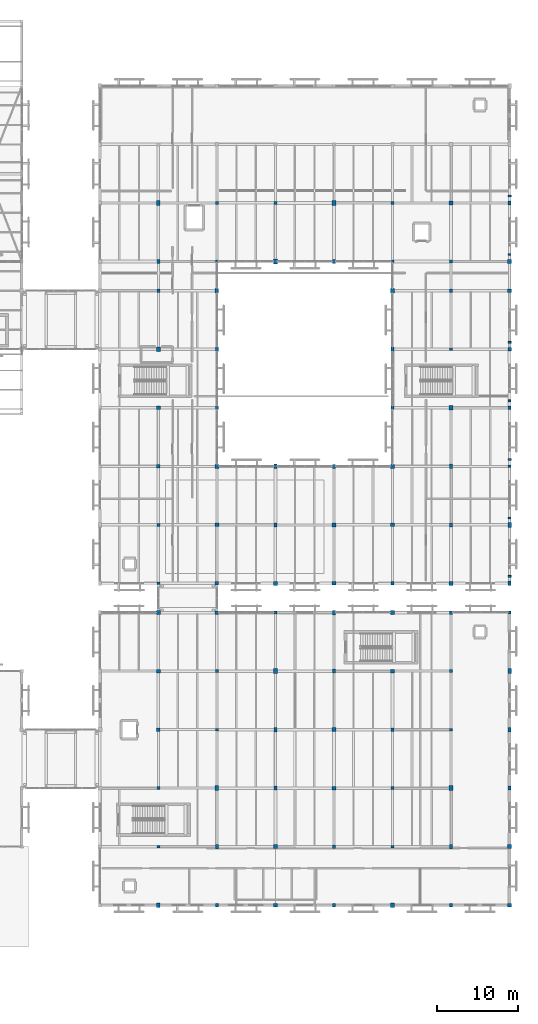
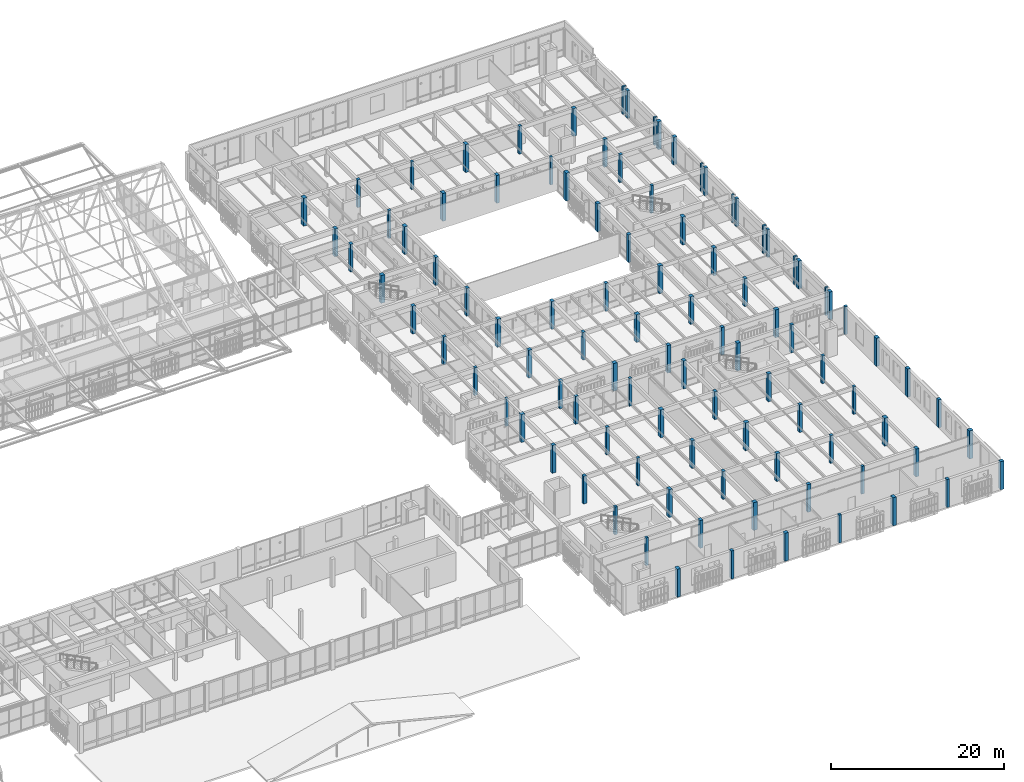
# One storey, part 14 of 217: 99 columns.
"""IFC4 building model written with IfcOpenShell, lengths in metres."""

import ifcopenshell
import ifcopenshell.guid

model = None  # the IFC model being written
_history = None  # IfcOwnerHistory: only IFC2X3 demands one
_inside = {}  # id of a spatial element -> (the spatial element, [elements in it])
_under = {}  # id of a project, library or spatial element -> (it, [spatial elements below it])
_declared = {}  # id of a project -> (the project, [libraries it declares])
_typed = {}  # id of a type object -> (the type object, [elements of that type])
_made_of = {}  # id of a material, layer set ... -> (it, [elements and type objects made of it])


def new_model(schema):
    """Start an empty IFC model of exactly this schema.

    Asked for "IFC4X3", IfcOpenShell would pick the latest addendum, in which some entities
    have other attributes; the version numbers below select the first issue.
    IFC2X3 requires an IfcOwnerHistory on every rooted entity: one is made here for all.
    """
    global model, _history
    if schema == "IFC4X3":
        model = ifcopenshell.file(schema_version=(4, 3, 0, 0))
    else:
        model = ifcopenshell.file(schema=schema)
    _inside.clear()
    _under.clear()
    _declared.clear()
    _typed.clear()
    _made_of.clear()
    _history = None
    if model.schema == "IFC2X3":
        org = make("IfcOrganization", Name="unknown")
        user = make(
            "IfcPersonAndOrganization",
            ThePerson=make("IfcPerson", FamilyName="unknown"),
            TheOrganization=org,
        )
        app = make(
            "IfcApplication",
            ApplicationDeveloper=org,
            Version="unknown",
            ApplicationFullName="unknown",
            ApplicationIdentifier="unknown",
        )
        _history = make(
            "IfcOwnerHistory",
            OwningUser=user,
            OwningApplication=app,
            ChangeAction="ADDED",
            CreationDate=0,
        )
    return model


def make(cls, **values):
    """One entity of the class cls with the attributes given. An attribute that is None is left unset."""
    return model.create_entity(
        cls, **{name: value for name, value in values.items() if value is not None}
    )


def rooted(cls, **values):
    """An entity with a GlobalId (a new one), such as an element, a storey or a relation."""
    return make(cls, GlobalId=ifcopenshell.guid.new(), OwnerHistory=_history, **values)


def si_unit(unit_type, name, prefix=None):
    """IfcSIUnit, for example si_unit("LENGTHUNIT", "METRE", prefix="MILLI")."""
    return make("IfcSIUnit", UnitType=unit_type, Prefix=prefix, Name=name)


def assignment(units):
    """IfcUnitAssignment: the units of a project."""
    return None if units is None else make("IfcUnitAssignment", Units=units)


def point(xyz):
    """IfcCartesianPoint."""
    return None if xyz is None else make("IfcCartesianPoint", Coordinates=xyz)


def direction(xyz):
    """IfcDirection."""
    return None if xyz is None else make("IfcDirection", DirectionRatios=xyz)


def frame(location, z_axis=None, x_axis=None):
    """IfcAxis2Placement3D, a coordinate frame: its origin and axes. An axis left out is left unset."""
    return make(
        "IfcAxis2Placement3D",
        Location=point(location),
        Axis=direction(z_axis),
        RefDirection=direction(x_axis),
    )


def frame_2d(location, x_axis=None):
    """IfcAxis2Placement2D, a coordinate frame in the plane: its origin and x axis."""
    return make(
        "IfcAxis2Placement2D", Location=point(location), RefDirection=direction(x_axis)
    )


def origin():
    """The frame at (0, 0, 0) with its axes left unset."""
    return frame((0.0, 0.0, 0.0))


def origin_2d():
    """The frame at (0, 0) in the plane with its x axis left unset."""
    return frame_2d((0.0, 0.0))


def place(relative_to, where):
    """IfcLocalPlacement: puts the frame where relative to a parent placement (None: the world)."""
    return make(
        "IfcLocalPlacement", PlacementRelTo=relative_to, RelativePlacement=where
    )


def context(
    kind, dimensions, precision=None, world=None, true_north=None, identifier=None
):
    """IfcGeometricRepresentationContext, for example the 3D "Model" context."""
    return make(
        "IfcGeometricRepresentationContext",
        ContextIdentifier=identifier,
        ContextType=kind,
        CoordinateSpaceDimension=dimensions,
        Precision=precision,
        WorldCoordinateSystem=world,
        TrueNorth=true_north,
    )


def subcontext(parent, identifier, kind, view, scale=None):
    """IfcGeometricRepresentationSubContext, for example "Body" below "Model"."""
    return make(
        "IfcGeometricRepresentationSubContext",
        ContextIdentifier=identifier,
        ContextType=kind,
        ParentContext=parent,
        TargetScale=scale,
        TargetView=view,
    )


def project(units=None, contexts=None):
    """IfcProject with its units and contexts."""
    return rooted(
        "IfcProject",
        Name="project",
        RepresentationContexts=contexts,
        UnitsInContext=assignment(units),
    )


def spatial(cls, under=None, at=None, **own):
    """A site, building, storey or space (cls), placed at a placement, below another one or the project."""
    s = rooted(cls, ObjectPlacement=at, **own)
    if under is not None:
        _under.setdefault(under.id(), (under, []))[1].append(s)
    return s


def profile(cls, at=None, kind="AREA", **sizes):
    """A parametric profile (cls). Its sizes go by their IFC names, for example OverallWidth=200.0."""
    return make(cls, ProfileType=kind, Position=at, **sizes)


def rectangle(**sizes):
    """IfcRectangleProfileDef."""
    return profile("IfcRectangleProfileDef", **sizes)


def extrude(swept, where, along, depth):
    """IfcExtrudedAreaSolid: the profile swept, set in the frame where, extruded along a direction by depth."""
    return make(
        "IfcExtrudedAreaSolid",
        SweptArea=swept,
        Position=where,
        ExtrudedDirection=direction(along),
        Depth=depth,
    )


def shape(context_of_items, identifier, shape_type, items):
    """IfcShapeRepresentation: the items that make up one representation, for example the "Body"."""
    return make(
        "IfcShapeRepresentation",
        ContextOfItems=context_of_items,
        RepresentationIdentifier=identifier,
        RepresentationType=shape_type,
        Items=items,
    )


def material(Name=None, Category=None):
    """IfcMaterial."""
    return make("IfcMaterial", Name=Name, Category=Category)


def material_profile(
    of_material, cross_section, Name=None, Category=None, Priority=None
):
    """IfcMaterialProfile: a cross section and its material."""
    return make(
        "IfcMaterialProfile",
        Name=Name,
        Material=of_material,
        Profile=cross_section,
        Priority=Priority,
        Category=Category,
    )


def profile_set(profiles, Name=None, composite=None):
    """IfcMaterialProfileSet."""
    return make(
        "IfcMaterialProfileSet",
        Name=Name,
        MaterialProfiles=profiles,
        CompositeProfile=composite,
    )


def made_of(thing, what):
    """Note that an element or type object is made of a material, layer set ...; save() writes the relation."""
    if what is not None:
        _made_of.setdefault(what.id(), (what, []))[1].append(thing)
    return thing


def type_object(cls, material=None, **own):
    """A type object (cls), such as IfcWallType, which elements share."""
    return made_of(rooted(cls, **own), material)


def element(
    cls,
    number,
    at=None,
    inside=None,
    cuts=None,
    type_object=None,
    material=None,
    context=None,
    identifier="Body",
    shape_type=None,
    held_by="IfcProductDefinitionShape",
    body=None,
    shapes=None,
    **own,
):
    """One element of the class cls, such as IfcWall. Its Tag is "e" and its number.

    at: its placement. inside: the storey or other place that contains it. cuts: it is an
    opening in that element (IfcRelVoidsElement). A single representation is given by context,
    identifier, shape_type and body (its items); several are given by shapes. held_by: the class
    of the entity that holds the representations. save() writes the other relations.
    """
    e = rooted(cls, Tag="e%d" % number, ObjectPlacement=at, **own)
    if body is not None:
        shapes = [shape(context, identifier, shape_type, body)]
    if shapes is not None:
        e.Representation = make(held_by, Representations=shapes)
    if inside is not None:
        _inside.setdefault(inside.id(), (inside, []))[1].append(e)
    if cuts is not None:
        rooted(
            "IfcRelVoidsElement", RelatingBuildingElement=cuts, RelatedOpeningElement=e
        )
    if type_object is not None:
        _typed.setdefault(type_object.id(), (type_object, []))[1].append(e)
    return made_of(e, material)


def aggregate(whole, parts):
    """IfcRelAggregates: a whole, such as a stair, and the parts it consists of."""
    return rooted("IfcRelAggregates", RelatingObject=whole, RelatedObjects=parts)


def save(model, path):
    """Write the relations noted so far, then the file.

    IfcRelAggregates (storeys below a building ...), IfcRelContainedInSpatialStructure (elements
    in a storey), IfcRelDefinesByType, IfcRelAssociatesMaterial and IfcRelDeclares: one each for
    every whole, place, type object, material and project.
    """
    for whole, parts in _under.values():
        aggregate(whole, parts)
    for where, things in _inside.values():
        rooted(
            "IfcRelContainedInSpatialStructure",
            RelatedElements=things,
            RelatingStructure=where,
        )
    for kind, things in _typed.values():
        rooted("IfcRelDefinesByType", RelatedObjects=things, RelatingType=kind)
    for what, things in _made_of.values():
        rooted("IfcRelAssociatesMaterial", RelatedObjects=things, RelatingMaterial=what)
    for by, libraries in _declared.values():
        rooted("IfcRelDeclares", RelatingContext=by, RelatedDefinitions=libraries)
    model.write(path)


model = new_model("IFC4")

# Units and contexts
model_context = context("Model", 3, precision=1e-05, world=origin(), true_north=direction((0.0, 1.0)))
body_context = subcontext(model_context, "Body", "Model", "MODEL_VIEW")
ifc_project = project(units=[si_unit("LENGTHUNIT", "METRE"), si_unit("AREAUNIT", "SQUARE_METRE"), si_unit("VOLUMEUNIT", "CUBIC_METRE"), si_unit("PLANEANGLEUNIT", "RADIAN"), si_unit("MASSUNIT", "GRAM", prefix="KILO")], contexts=[model_context])

# Site, building, storey
site_placement = place(None, origin())
site = spatial("IfcSite", under=ifc_project, at=site_placement, CompositionType="ELEMENT")
building_placement = place(site_placement, origin())
building = spatial("IfcBuilding", under=site, at=building_placement, Name="Mazaris Harbour Polytechnic", CompositionType="ELEMENT")
storey_placement = place(building_placement, frame((0.0, 0.0, 9.60009765625)))
storey = spatial("IfcBuildingStorey", under=building, at=storey_placement, Name="L02", CompositionType="ELEMENT", Elevation=9.60009765625)

# Columns
ifc_material_1 = material(Name="Glulam GL28h", Category="wood")
ifc_material_profile_1 = material_profile(ifc_material_1, rectangle(XDim=0.340087890625, YDim=0.340087890625, at=origin_2d()), Name="RECT340x340")
ifc_profile_set_1 = profile_set([ifc_material_profile_1], Name="Glulam GL28h")
column_type_1 = type_object("IfcColumnType", Name="Glulam Column 340x340", PredefinedType="COLUMN", material=ifc_profile_set_1)
for number, where, z_axis, x_axis, name in (
    (1, (129.60009765625, 14.39990234375, 0.0), (0.0, 0.0, 1.0), (1.0, 0.0, 0.0), "V2 L02 Column 312"),
    (2, (136.800048828125, 28.800048828125, 0.0), (0.0, 0.0, 1.0), (1.0, 0.0, 0.0), "V2 L02 Column 320"),
    (3, (158.39990234375, 14.39990234375, 0.0), (0.0, 0.0, 1.0), (1.0, 0.0, 0.0), "V2 L02 Column 336"),
    (4, (165.60009765625, 28.800048828125, 0.0), (0.0, 0.0, 1.0), (1.0, 0.0, 0.0), "V2 L02 Column 344"),
    (5, (136.800048828125, 86.39990234375, 0.0), (0.0, 0.0, 1.0), (1.0, 0.0, 0.0), "V5 L02 Column 1352"),
    (6, (144.0, 93.60009765625, 0.0), (0.0, 0.0, 1.0), (1.0, 0.0, 0.0), "V5 L02 Column 1360"),
    (7, (158.39990234375, 86.39990234375, 0.0), (0.0, 0.0, 1.0), (1.0, 0.0, 0.0), "V5 L02 Column 1376"),
    (8, (165.60009765625, 75.60009765625, 0.0), (0.0, 0.0, 1.0), (1.0, 0.0, 0.0), "V5 L02 Column 1384"),
):
    element("IfcColumn", number, at=place(storey_placement, frame(where, z_axis=z_axis, x_axis=x_axis)), inside=storey, type_object=column_type_1, Name=name, PredefinedType="COLUMN", context=body_context, shape_type="SweptSolid", body=[
        extrude(rectangle(XDim=0.340087890625, YDim=0.340087890625, at=origin_2d()), origin(), (0.0, 0.0, 1.0), 3.919921875),
    ])
ifc_material_2 = material(Name="Glulam GL28h", Category="wood")
ifc_material_profile_2 = material_profile(ifc_material_2, rectangle(XDim=0.340087890625, YDim=0.340087890625, at=origin_2d()), Name="RECT340x340")
ifc_profile_set_2 = profile_set([ifc_material_profile_2], Name="Glulam GL28h")
column_type_2 = type_object("IfcColumnType", Name="Glulam Column 340x340 Exterior", PredefinedType="COLUMN", material=ifc_profile_set_2)
column_1_placement = place(storey_placement, frame((144.0, 43.199951171875, 0.0), z_axis=(0.0, 0.0, 1.0), x_axis=(1.0, 0.0, 0.0)))
element("IfcColumn", 9, at=column_1_placement, inside=storey, type_object=column_type_2, Name="V2 L02 Column 328", PredefinedType="COLUMN", context=body_context, shape_type="SweptSolid", body=[
    extrude(rectangle(XDim=0.340087890625, YDim=0.340087890625, at=origin_2d()), origin(), (0.0, 0.0, 1.0), 3.919921875),
])
column_2_placement = place(storey_placement, frame((172.800048828125, 43.199951171875, 0.0), z_axis=(0.0, 0.0, 1.0), x_axis=(1.0, 0.0, 0.0)))
element("IfcColumn", 10, at=column_2_placement, inside=storey, type_object=column_type_2, Name="V2 L02 Column 352", PredefinedType="COLUMN", context=body_context, shape_type="SweptSolid", body=[
    extrude(rectangle(XDim=0.340087890625, YDim=0.340087890625, at=origin_2d()), origin(), (0.0, 0.0, 1.0), 3.9599609375),
])
for number, where, z_axis, x_axis, name in (
    (11, (129.60009765625, 46.800048828125, 0.0), (0.0, 0.0, 1.0), (1.0, 0.0, 0.0), "V5 L02 Column 1336"),
    (12, (172.800048828125, 61.199951171875, 0.0), (0.0, 0.0, 1.0), (1.0, 0.0, 0.0), "V5 L02 Column 1392"),
):
    element("IfcColumn", number, at=place(storey_placement, frame(where, z_axis=z_axis, x_axis=x_axis)), inside=storey, type_object=column_type_2, Name=name, PredefinedType="COLUMN", context=body_context, shape_type="SweptSolid", body=[
        extrude(rectangle(XDim=0.340087890625, YDim=0.340087890625, at=origin_2d()), origin(), (0.0, 0.0, 1.0), 3.919921875),
    ])
ifc_material_3 = material(Name="Glulam GL28h", Category="wood")
ifc_material_profile_3 = material_profile(ifc_material_3, rectangle(XDim=0.360107421875, YDim=0.47998046875, at=origin_2d()), Name="RECT360x480")
ifc_profile_set_3 = profile_set([ifc_material_profile_3], Name="Glulam GL28h")
column_type_3 = type_object("IfcColumnType", Name="Glulam Column 360x480", PredefinedType="COLUMN", material=ifc_profile_set_3)
for number, where, z_axis, x_axis, name in (
    (13, (144.0, 21.60009765625, 0.0), (0.0, 0.0, 1.0), (1.0, 0.0, 0.0), "V2 L02 Column 325"),
    (14, (151.199951171875, 36.0, 0.0), (0.0, 0.0, 1.0), (1.0, 0.0, 0.0), "V2 L02 Column 333"),
    (15, (129.60009765625, 82.800048828125, 0.0), (0.0, 0.0, 1.0), (1.0, 0.0, 0.0), "V5 L02 Column 1341"),
    (16, (136.800048828125, 68.39990234375, 0.0), (0.0, 0.0, 1.0), (1.0, 0.0, 0.0), "V5 L02 Column 1349"),
    (17, (144.0, 54.0, 0.0), (0.0, 0.0, 1.0), (1.0, 0.0, 0.0), "V5 L02 Column 1357"),
    (18, (151.199951171875, 61.199951171875, 0.0), (0.0, 0.0, 1.0), (1.0, 0.0, 0.0), "V5 L02 Column 1365"),
    (19, (158.39990234375, 68.39990234375, 0.0), (0.0, 0.0, 1.0), (1.0, 0.0, 0.0), "V5 L02 Column 1373"),
    (20, (165.60009765625, 54.0, 0.0), (0.0, 0.0, 1.0), (1.0, 0.0, 0.0), "V5 L02 Column 1381"),
):
    element("IfcColumn", number, at=place(storey_placement, frame(where, z_axis=z_axis, x_axis=x_axis)), inside=storey, type_object=column_type_3, Name=name, PredefinedType="COLUMN", context=body_context, shape_type="SweptSolid", body=[
        extrude(rectangle(XDim=0.360107421875, YDim=0.47998046875, at=origin_2d()), origin(), (0.0, 0.0, 1.0), 3.919921875),
    ])
ifc_material_4 = material(Name="Glulam GL28h", Category="wood")
ifc_material_profile_4 = material_profile(ifc_material_4, rectangle(XDim=0.360107421875, YDim=0.47998046875, at=origin_2d()), Name="RECT360x480")
ifc_profile_set_4 = profile_set([ifc_material_profile_4], Name="Glulam GL28h")
column_type_4 = type_object("IfcColumnType", Name="Glulam Column 360x480 Exterior", PredefinedType="COLUMN", material=ifc_profile_set_4)
for number, where, z_axis, x_axis, name in (
    (21, (136.800048828125, 7.199951171875, 0.0), (0.0, 0.0, 1.0), (1.0, 0.0, 0.0), "V2 L02 Column 317"),
    (22, (165.60009765625, 7.199951171875, 0.0), (0.0, 0.0, 1.0), (1.0, 0.0, 0.0), "V2 L02 Column 341"),
    (23, (172.800048828125, 21.60009765625, 0.0), (0.0, 0.0, 1.0), (1.0, 0.0, 0.0), "V2 L02 Column 349"),
):
    element("IfcColumn", number, at=place(storey_placement, frame(where, z_axis=z_axis, x_axis=x_axis)), inside=storey, type_object=column_type_4, Name=name, PredefinedType="COLUMN", context=body_context, shape_type="SweptSolid", body=[
        extrude(rectangle(XDim=0.360107421875, YDim=0.47998046875, at=origin_2d()), origin(), (0.0, 0.0, 1.0), 3.9599609375),
    ])
column_3_placement = place(storey_placement, frame((172.800048828125, 93.60009765625, 0.0), z_axis=(0.0, 0.0, 1.0), x_axis=(1.0, 0.0, 0.0)))
element("IfcColumn", 24, at=column_3_placement, inside=storey, type_object=column_type_4, Name="V5 L02 Column 1397", PredefinedType="COLUMN", context=body_context, shape_type="SweptSolid", body=[
    extrude(rectangle(XDim=0.360107421875, YDim=0.47998046875, at=origin_2d()), origin(), (0.0, 0.0, 1.0), 3.919921875),
])
ifc_material_5 = material(Name="Glulam GL28h", Category="wood")
ifc_material_profile_5 = material_profile(ifc_material_5, rectangle(XDim=0.3798828125, YDim=0.3798828125, at=origin_2d()), Name="RECT380x380")
ifc_profile_set_5 = profile_set([ifc_material_profile_5], Name="Glulam GL28h")
column_type_5 = type_object("IfcColumnType", Name="Glulam Column 380x380", PredefinedType="COLUMN", material=ifc_profile_set_5)
for number, where, z_axis, x_axis, name in (
    (25, (129.60009765625, 21.60009765625, 0.0), (0.0, 0.0, 1.0), (1.0, 0.0, 0.0), "V2 L02 Column 313"),
    (26, (136.800048828125, 36.0, 0.0), (0.0, 0.0, 1.0), (1.0, 0.0, 0.0), "V2 L02 Column 321"),
    (27, (158.39990234375, 21.60009765625, 0.0), (0.0, 0.0, 1.0), (1.0, 0.0, 0.0), "V2 L02 Column 337"),
    (28, (165.60009765625, 36.0, 0.0), (0.0, 0.0, 1.0), (1.0, 0.0, 0.0), "V2 L02 Column 345"),
    (29, (129.60009765625, 54.0, 0.0), (0.0, 0.0, 1.0), (1.0, 0.0, 0.0), "V5 L02 Column 1337"),
    (30, (136.800048828125, 93.60009765625, 0.0), (0.0, 0.0, 1.0), (1.0, 0.0, 0.0), "V5 L02 Column 1353"),
    (31, (158.39990234375, 93.60009765625, 0.0), (0.0, 0.0, 1.0), (1.0, 0.0, 0.0), "V5 L02 Column 1377"),
    (32, (165.60009765625, 82.800048828125, 0.0), (0.0, 0.0, 1.0), (1.0, 0.0, 0.0), "V5 L02 Column 1385"),
):
    element("IfcColumn", number, at=place(storey_placement, frame(where, z_axis=z_axis, x_axis=x_axis)), inside=storey, type_object=column_type_5, Name=name, PredefinedType="COLUMN", context=body_context, shape_type="SweptSolid", body=[
        extrude(rectangle(XDim=0.3798828125, YDim=0.3798828125, at=origin_2d()), origin(), (0.0, 0.0, 1.0), 3.919921875),
    ])
ifc_material_6 = material(Name="Glulam GL28h", Category="wood")
ifc_material_profile_6 = material_profile(ifc_material_6, rectangle(XDim=0.3798828125, YDim=0.3798828125, at=origin_2d()), Name="RECT380x380")
ifc_profile_set_6 = profile_set([ifc_material_profile_6], Name="Glulam GL28h")
column_type_6 = type_object("IfcColumnType", Name="Glulam Column 380x380 Exterior", PredefinedType="COLUMN", material=ifc_profile_set_6)
column_4_placement = place(storey_placement, frame((151.199951171875, 7.199951171875, 0.0), z_axis=(0.0, 0.0, 1.0), x_axis=(1.0, 0.0, 0.0)))
element("IfcColumn", 33, at=column_4_placement, inside=storey, type_object=column_type_6, Name="V2 L02 Column 329", PredefinedType="COLUMN", context=body_context, shape_type="SweptSolid", body=[
    extrude(rectangle(XDim=0.3798828125, YDim=0.3798828125, at=origin_2d()), origin(), (0.0, 0.0, 1.0), 3.9599609375),
])
column_5_placement = place(storey_placement, frame((172.800048828125, 68.39990234375, 0.0), z_axis=(0.0, 0.0, 1.0), x_axis=(1.0, 0.0, 0.0)))
element("IfcColumn", 34, at=column_5_placement, inside=storey, type_object=column_type_6, Name="V5 L02 Column 1393", PredefinedType="COLUMN", context=body_context, shape_type="SweptSolid", body=[
    extrude(rectangle(XDim=0.3798828125, YDim=0.3798828125, at=origin_2d()), origin(), (0.0, 0.0, 1.0), 3.919921875),
])
ifc_material_7 = material(Name="Glulam GL28h", Category="wood")
ifc_material_profile_7 = material_profile(ifc_material_7, rectangle(XDim=0.39990234375, YDim=0.5400390625, at=origin_2d()), Name="RECT400x540")
ifc_profile_set_7 = profile_set([ifc_material_profile_7], Name="Glulam GL28h")
column_type_7 = type_object("IfcColumnType", Name="Glulam Column 400x540", PredefinedType="COLUMN", material=ifc_profile_set_7)
for number, where, z_axis, x_axis, name in (
    (35, (136.800048828125, 14.39990234375, 0.0), (0.0, 0.0, 1.0), (1.0, 0.0, 0.0), "V2 L02 Column 318"),
    (36, (144.0, 28.800048828125, 0.0), (0.0, 0.0, 1.0), (1.0, 0.0, 0.0), "V2 L02 Column 326"),
    (37, (165.60009765625, 14.39990234375, 0.0), (0.0, 0.0, 1.0), (1.0, 0.0, 0.0), "V2 L02 Column 342"),
    (38, (129.60009765625, 86.39990234375, 0.0), (0.0, 0.0, 1.0), (1.0, 0.0, 0.0), "V5 L02 Column 1342"),
    (39, (136.800048828125, 75.60009765625, 0.0), (0.0, 0.0, 1.0), (1.0, 0.0, 0.0), "V5 L02 Column 1350"),
    (40, (144.0, 61.199951171875, 0.0), (0.0, 0.0, 1.0), (1.0, 0.0, 0.0), "V5 L02 Column 1358"),
    (41, (151.199951171875, 86.39990234375, 0.0), (0.0, 0.0, 1.0), (1.0, 0.0, 0.0), "V5 L02 Column 1366"),
    (42, (158.39990234375, 75.60009765625, 0.0), (0.0, 0.0, 1.0), (1.0, 0.0, 0.0), "V5 L02 Column 1374"),
    (43, (165.60009765625, 61.199951171875, 0.0), (0.0, 0.0, 1.0), (1.0, 0.0, 0.0), "V5 L02 Column 1382"),
):
    element("IfcColumn", number, at=place(storey_placement, frame(where, z_axis=z_axis, x_axis=x_axis)), inside=storey, type_object=column_type_7, Name=name, PredefinedType="COLUMN", context=body_context, shape_type="SweptSolid", body=[
        extrude(rectangle(XDim=0.39990234375, YDim=0.5400390625, at=origin_2d()), origin(), (0.0, 0.0, 1.0), 3.919921875),
    ])
ifc_material_8 = material(Name="Glulam GL28h", Category="wood")
ifc_material_profile_8 = material_profile(ifc_material_8, rectangle(XDim=0.39990234375, YDim=0.5400390625, at=origin_2d()), Name="RECT400x540")
ifc_profile_set_8 = profile_set([ifc_material_profile_8], Name="Glulam GL28h")
column_type_8 = type_object("IfcColumnType", Name="Glulam Column 400x540 Exterior", PredefinedType="COLUMN", material=ifc_profile_set_8)
column_6_placement = place(storey_placement, frame((151.199951171875, 43.199951171875, 0.0), z_axis=(0.0, 0.0, 1.0), x_axis=(1.0, 0.0, 0.0)))
element("IfcColumn", 44, at=column_6_placement, inside=storey, type_object=column_type_8, Name="V2 L02 Column 334", PredefinedType="COLUMN", context=body_context, shape_type="SweptSolid", body=[
    extrude(rectangle(XDim=0.39990234375, YDim=0.5400390625, at=origin_2d()), origin(), (0.0, 0.0, 1.0), 3.919921875),
])
column_7_placement = place(storey_placement, frame((172.800048828125, 28.800048828125, 0.0), z_axis=(0.0, 0.0, 1.0), x_axis=(1.0, 0.0, 0.0)))
element("IfcColumn", 45, at=column_7_placement, inside=storey, type_object=column_type_8, Name="V2 L02 Column 350", PredefinedType="COLUMN", context=body_context, shape_type="SweptSolid", body=[
    extrude(rectangle(XDim=0.39990234375, YDim=0.5400390625, at=origin_2d()), origin(), (0.0, 0.0, 1.0), 3.9599609375),
])
column_8_placement = place(storey_placement, frame((172.800048828125, 46.800048828125, 0.0), z_axis=(0.0, 0.0, 1.0), x_axis=(1.0, 0.0, 0.0)))
element("IfcColumn", 46, at=column_8_placement, inside=storey, type_object=column_type_8, Name="V5 L02 Column 1390", PredefinedType="COLUMN", context=body_context, shape_type="SweptSolid", body=[
    extrude(rectangle(XDim=0.39990234375, YDim=0.5400390625, at=origin_2d()), origin(), (0.0, 0.0, 1.0), 3.919921875),
])
ifc_material_9 = material(Name="Glulam GL28h", Category="wood")
ifc_material_profile_9 = material_profile(ifc_material_9, rectangle(XDim=0.419921875, YDim=0.419921875, at=origin_2d()), Name="RECT420x420")
ifc_profile_set_9 = profile_set([ifc_material_profile_9], Name="Glulam GL28h")
column_type_9 = type_object("IfcColumnType", Name="Glulam Column 420x420", PredefinedType="COLUMN", material=ifc_profile_set_9)
for number, where, z_axis, x_axis, name in (
    (47, (129.60009765625, 28.800048828125, 0.0), (0.0, 0.0, 1.0), (1.0, 0.0, 0.0), "V2 L02 Column 314"),
    (48, (151.199951171875, 14.39990234375, 0.0), (0.0, 0.0, 1.0), (1.0, 0.0, 0.0), "V2 L02 Column 330"),
    (49, (158.39990234375, 28.800048828125, 0.0), (0.0, 0.0, 1.0), (1.0, 0.0, 0.0), "V2 L02 Column 338"),
    (50, (129.60009765625, 61.199951171875, 0.0), (0.0, 0.0, 1.0), (1.0, 0.0, 0.0), "V5 L02 Column 1338"),
    (51, (165.60009765625, 86.39990234375, 0.0), (0.0, 0.0, 1.0), (1.0, 0.0, 0.0), "V5 L02 Column 1386"),
):
    element("IfcColumn", number, at=place(storey_placement, frame(where, z_axis=z_axis, x_axis=x_axis)), inside=storey, type_object=column_type_9, Name=name, PredefinedType="COLUMN", context=body_context, shape_type="SweptSolid", body=[
        extrude(rectangle(XDim=0.419921875, YDim=0.419921875, at=origin_2d()), origin(), (0.0, 0.0, 1.0), 3.919921875),
    ])
ifc_material_10 = material(Name="Glulam GL28h", Category="wood")
ifc_material_profile_10 = material_profile(ifc_material_10, rectangle(XDim=0.419921875, YDim=0.419921875, at=origin_2d()), Name="RECT420x420")
ifc_profile_set_10 = profile_set([ifc_material_profile_10], Name="Glulam GL28h")
column_type_10 = type_object("IfcColumnType", Name="Glulam Column 420x420 Exterior", PredefinedType="COLUMN", material=ifc_profile_set_10)
for number, where, z_axis, x_axis, name in (
    (52, (136.800048828125, 43.199951171875, 0.0), (0.0, 0.0, 1.0), (1.0, 0.0, 0.0), "V2 L02 Column 322"),
    (53, (165.60009765625, 43.199951171875, 0.0), (0.0, 0.0, 1.0), (1.0, 0.0, 0.0), "V2 L02 Column 346"),
    (54, (136.800048828125, 46.800048828125, 0.0), (0.0, 0.0, 1.0), (1.0, 0.0, 0.0), "V5 L02 Column 1346"),
    (55, (158.39990234375, 46.800048828125, 0.0), (0.0, 0.0, 1.0), (1.0, 0.0, 0.0), "V5 L02 Column 1370"),
    (56, (172.800048828125, 75.60009765625, 0.0), (0.0, 0.0, 1.0), (1.0, 0.0, 0.0), "V5 L02 Column 1394"),
):
    element("IfcColumn", number, at=place(storey_placement, frame(where, z_axis=z_axis, x_axis=x_axis)), inside=storey, type_object=column_type_10, Name=name, PredefinedType="COLUMN", context=body_context, shape_type="SweptSolid", body=[
        extrude(rectangle(XDim=0.419921875, YDim=0.419921875, at=origin_2d()), origin(), (0.0, 0.0, 1.0), 3.919921875),
    ])
ifc_material_11 = material(Name="Glulam GL28h", Category="wood")
ifc_material_profile_11 = material_profile(ifc_material_11, rectangle(XDim=0.43994140625, YDim=0.60009765625, at=origin_2d()), Name="RECT440x600")
ifc_profile_set_11 = profile_set([ifc_material_profile_11], Name="Glulam GL28h")
column_type_11 = type_object("IfcColumnType", Name="Glulam Column 440x600", PredefinedType="COLUMN", material=ifc_profile_set_11)
for number, where, z_axis, x_axis, name in (
    (57, (136.800048828125, 21.60009765625, 0.0), (0.0, 0.0, 1.0), (1.0, 0.0, 0.0), "V2 L02 Column 319"),
    (58, (144.0, 36.0, 0.0), (0.0, 0.0, 1.0), (1.0, 0.0, 0.0), "V2 L02 Column 327"),
    (59, (165.60009765625, 21.60009765625, 0.0), (0.0, 0.0, 1.0), (1.0, 0.0, 0.0), "V2 L02 Column 343"),
    (60, (129.60009765625, 93.60009765625, 0.0), (0.0, 0.0, 1.0), (1.0, 0.0, 0.0), "V5 L02 Column 1343"),
    (61, (136.800048828125, 82.800048828125, 0.0), (0.0, 0.0, 1.0), (1.0, 0.0, 0.0), "V5 L02 Column 1351"),
    (62, (144.0, 86.39990234375, 0.0), (0.0, 0.0, 1.0), (1.0, 0.0, 0.0), "V5 L02 Column 1359"),
    (63, (151.199951171875, 93.60009765625, 0.0), (0.0, 0.0, 1.0), (1.0, 0.0, 0.0), "V5 L02 Column 1367"),
    (64, (158.39990234375, 82.800048828125, 0.0), (0.0, 0.0, 1.0), (1.0, 0.0, 0.0), "V5 L02 Column 1375"),
    (65, (165.60009765625, 68.39990234375, 0.0), (0.0, 0.0, 1.0), (1.0, 0.0, 0.0), "V5 L02 Column 1383"),
):
    element("IfcColumn", number, at=place(storey_placement, frame(where, z_axis=z_axis, x_axis=x_axis)), inside=storey, type_object=column_type_11, Name=name, PredefinedType="COLUMN", context=body_context, shape_type="SweptSolid", body=[
        extrude(rectangle(XDim=0.43994140625, YDim=0.60009765625, at=origin_2d()), origin(), (0.0, 0.0, 1.0), 3.919921875),
    ])
ifc_material_12 = material(Name="Glulam GL28h", Category="wood")
ifc_material_profile_12 = material_profile(ifc_material_12, rectangle(XDim=0.43994140625, YDim=0.60009765625, at=origin_2d()), Name="RECT440x600")
ifc_profile_set_12 = profile_set([ifc_material_profile_12], Name="Glulam GL28h")
column_type_12 = type_object("IfcColumnType", Name="Glulam Column 440x600 Exterior", PredefinedType="COLUMN", material=ifc_profile_set_12)
for number, where, z_axis, x_axis, name in (
    (66, (129.60009765625, 7.199951171875, 0.0), (0.0, 0.0, 1.0), (1.0, 0.0, 0.0), "V2 L02 Column 311"),
    (67, (158.39990234375, 7.199951171875, 0.0), (0.0, 0.0, 1.0), (1.0, 0.0, 0.0), "V2 L02 Column 335"),
    (68, (172.800048828125, 36.0, 0.0), (0.0, 0.0, 1.0), (1.0, 0.0, 0.0), "V2 L02 Column 351"),
):
    element("IfcColumn", number, at=place(storey_placement, frame(where, z_axis=z_axis, x_axis=x_axis)), inside=storey, type_object=column_type_12, Name=name, PredefinedType="COLUMN", context=body_context, shape_type="SweptSolid", body=[
        extrude(rectangle(XDim=0.43994140625, YDim=0.60009765625, at=origin_2d()), origin(), (0.0, 0.0, 1.0), 3.9599609375),
    ])
column_9_placement = place(storey_placement, frame((172.800048828125, 54.0, 0.0), z_axis=(0.0, 0.0, 1.0), x_axis=(1.0, 0.0, 0.0)))
element("IfcColumn", 69, at=column_9_placement, inside=storey, type_object=column_type_12, Name="V5 L02 Column 1391", PredefinedType="COLUMN", context=body_context, shape_type="SweptSolid", body=[
    extrude(rectangle(XDim=0.43994140625, YDim=0.60009765625, at=origin_2d()), origin(), (0.0, 0.0, 1.0), 3.919921875),
])
ifc_material_13 = material(Name="Glulam GL28h", Category="wood")
ifc_material_profile_13 = material_profile(ifc_material_13, rectangle(XDim=0.4599609375, YDim=0.4599609375, at=origin_2d()), Name="RECT460x460")
ifc_profile_set_13 = profile_set([ifc_material_profile_13], Name="Glulam GL28h")
column_type_13 = type_object("IfcColumnType", Name="Glulam Column 460x460", PredefinedType="COLUMN", material=ifc_profile_set_13)
for number, where, z_axis, x_axis, name in (
    (70, (129.60009765625, 36.0, 0.0), (0.0, 0.0, 1.0), (1.0, 0.0, 0.0), "V2 L02 Column 315"),
    (71, (151.199951171875, 21.60009765625, 0.0), (0.0, 0.0, 1.0), (1.0, 0.0, 0.0), "V2 L02 Column 331"),
    (72, (158.39990234375, 36.0, 0.0), (0.0, 0.0, 1.0), (1.0, 0.0, 0.0), "V2 L02 Column 339"),
    (73, (129.60009765625, 68.39990234375, 0.0), (0.0, 0.0, 1.0), (1.0, 0.0, 0.0), "V5 L02 Column 1339"),
    (74, (136.800048828125, 54.0, 0.0), (0.0, 0.0, 1.0), (1.0, 0.0, 0.0), "V5 L02 Column 1347"),
    (75, (158.39990234375, 54.0, 0.0), (0.0, 0.0, 1.0), (1.0, 0.0, 0.0), "V5 L02 Column 1371"),
    (76, (165.60009765625, 93.60009765625, 0.0), (0.0, 0.0, 1.0), (1.0, 0.0, 0.0), "V5 L02 Column 1387"),
):
    element("IfcColumn", number, at=place(storey_placement, frame(where, z_axis=z_axis, x_axis=x_axis)), inside=storey, type_object=column_type_13, Name=name, PredefinedType="COLUMN", context=body_context, shape_type="SweptSolid", body=[
        extrude(rectangle(XDim=0.4599609375, YDim=0.4599609375, at=origin_2d()), origin(), (0.0, 0.0, 1.0), 3.919921875),
    ])
ifc_material_14 = material(Name="Glulam GL28h", Category="wood")
ifc_material_profile_14 = material_profile(ifc_material_14, rectangle(XDim=0.4599609375, YDim=0.4599609375, at=origin_2d()), Name="RECT460x460")
ifc_profile_set_14 = profile_set([ifc_material_profile_14], Name="Glulam GL28h")
column_type_14 = type_object("IfcColumnType", Name="Glulam Column 460x460 Exterior", PredefinedType="COLUMN", material=ifc_profile_set_14)
for number, where, z_axis, x_axis, name in (
    (77, (144.0, 7.199951171875, 0.0), (0.0, 0.0, 1.0), (1.0, 0.0, 0.0), "V2 L02 Column 323"),
    (78, (172.800048828125, 7.199951171875, 0.0), (0.0, 0.0, 1.0), (1.0, 0.0, 0.0), "V2 L02 Column 347"),
):
    element("IfcColumn", number, at=place(storey_placement, frame(where, z_axis=z_axis, x_axis=x_axis)), inside=storey, type_object=column_type_14, Name=name, PredefinedType="COLUMN", context=body_context, shape_type="SweptSolid", body=[
        extrude(rectangle(XDim=0.4599609375, YDim=0.4599609375, at=origin_2d()), origin(), (0.0, 0.0, 1.0), 3.9599609375),
    ])
for number, where, z_axis, x_axis, name in (
    (79, (151.199951171875, 46.800048828125, 0.0), (0.0, 0.0, 1.0), (1.0, 0.0, 0.0), "V5 L02 Column 1363"),
    (80, (172.800048828125, 82.800048828125, 0.0), (0.0, 0.0, 1.0), (1.0, 0.0, 0.0), "V5 L02 Column 1395"),
):
    element("IfcColumn", number, at=place(storey_placement, frame(where, z_axis=z_axis, x_axis=x_axis)), inside=storey, type_object=column_type_14, Name=name, PredefinedType="COLUMN", context=body_context, shape_type="SweptSolid", body=[
        extrude(rectangle(XDim=0.4599609375, YDim=0.4599609375, at=origin_2d()), origin(), (0.0, 0.0, 1.0), 3.919921875),
    ])
ifc_material_15 = material(Name="Glulam GL28h", Category="wood")
ifc_material_profile_15 = material_profile(ifc_material_15, rectangle(XDim=0.5, YDim=0.5, at=origin_2d()), Name="RECT500x500")
ifc_profile_set_15 = profile_set([ifc_material_profile_15], Name="Glulam GL28h")
column_type_15 = type_object("IfcColumnType", Name="Glulam Column 500x500", PredefinedType="COLUMN", material=ifc_profile_set_15)
for number, where, z_axis, x_axis, name in (
    (81, (144.0, 14.39990234375, 0.0), (0.0, 0.0, 1.0), (1.0, 0.0, 0.0), "V2 L02 Column 324"),
    (82, (151.199951171875, 28.800048828125, 0.0), (0.0, 0.0, 1.0), (1.0, 0.0, 0.0), "V2 L02 Column 332"),
    (83, (129.60009765625, 75.60009765625, 0.0), (0.0, 0.0, 1.0), (1.0, 0.0, 0.0), "V5 L02 Column 1340"),
    (84, (136.800048828125, 61.199951171875, 0.0), (0.0, 0.0, 1.0), (1.0, 0.0, 0.0), "V5 L02 Column 1348"),
    (85, (151.199951171875, 54.0, 0.0), (0.0, 0.0, 1.0), (1.0, 0.0, 0.0), "V5 L02 Column 1364"),
    (86, (158.39990234375, 61.199951171875, 0.0), (0.0, 0.0, 1.0), (1.0, 0.0, 0.0), "V5 L02 Column 1372"),
):
    element("IfcColumn", number, at=place(storey_placement, frame(where, z_axis=z_axis, x_axis=x_axis)), inside=storey, type_object=column_type_15, Name=name, PredefinedType="COLUMN", context=body_context, shape_type="SweptSolid", body=[
        extrude(rectangle(XDim=0.5, YDim=0.5, at=origin_2d()), origin(), (0.0, 0.0, 1.0), 3.919921875),
    ])
ifc_material_16 = material(Name="Glulam GL28h", Category="wood")
ifc_material_profile_16 = material_profile(ifc_material_16, rectangle(XDim=0.5, YDim=0.5, at=origin_2d()), Name="RECT500x500")
ifc_profile_set_16 = profile_set([ifc_material_profile_16], Name="Glulam GL28h")
column_type_16 = type_object("IfcColumnType", Name="Glulam Column 500x500 Exterior", PredefinedType="COLUMN", material=ifc_profile_set_16)
for number, where, z_axis, x_axis, name in (
    (87, (129.60009765625, 43.199951171875, 0.0), (0.0, 0.0, 1.0), (1.0, 0.0, 0.0), "V2 L02 Column 316"),
    (88, (158.39990234375, 43.199951171875, 0.0), (0.0, 0.0, 1.0), (1.0, 0.0, 0.0), "V2 L02 Column 340"),
):
    element("IfcColumn", number, at=place(storey_placement, frame(where, z_axis=z_axis, x_axis=x_axis)), inside=storey, type_object=column_type_16, Name=name, PredefinedType="COLUMN", context=body_context, shape_type="SweptSolid", body=[
        extrude(rectangle(XDim=0.5, YDim=0.5, at=origin_2d()), origin(), (0.0, 0.0, 1.0), 3.919921875),
    ])
column_10_placement = place(storey_placement, frame((172.800048828125, 14.39990234375, 0.0), z_axis=(0.0, 0.0, 1.0), x_axis=(1.0, 0.0, 0.0)))
element("IfcColumn", 89, at=column_10_placement, inside=storey, type_object=column_type_16, Name="V2 L02 Column 348", PredefinedType="COLUMN", context=body_context, shape_type="SweptSolid", body=[
    extrude(rectangle(XDim=0.5, YDim=0.5, at=origin_2d()), origin(), (0.0, 0.0, 1.0), 3.9599609375),
])
for number, where, z_axis, x_axis, name in (
    (90, (144.0, 46.800048828125, 0.0), (0.0, 0.0, 1.0), (1.0, 0.0, 0.0), "V5 L02 Column 1356"),
    (91, (165.60009765625, 46.800048828125, 0.0), (0.0, 0.0, 1.0), (1.0, 0.0, 0.0), "V5 L02 Column 1380"),
    (92, (172.800048828125, 86.39990234375, 0.0), (0.0, 0.0, 1.0), (1.0, 0.0, 0.0), "V5 L02 Column 1396"),
):
    element("IfcColumn", number, at=place(storey_placement, frame(where, z_axis=z_axis, x_axis=x_axis)), inside=storey, type_object=column_type_16, Name=name, PredefinedType="COLUMN", context=body_context, shape_type="SweptSolid", body=[
        extrude(rectangle(XDim=0.5, YDim=0.5, at=origin_2d()), origin(), (0.0, 0.0, 1.0), 3.919921875),
    ])
ifc_material_17 = material(Name="Concrete C35/45", Category="concrete")
ifc_material_profile_17 = material_profile(ifc_material_17, rectangle(XDim=0.320068359375, YDim=0.219970703125, at=origin_2d()), Name="RECT320x220")
ifc_profile_set_17 = profile_set([ifc_material_profile_17], Name="Concrete C35/45")
column_type_17 = type_object("IfcColumnType", Name="Limestone Pilaster 320x220", PredefinedType="PILASTER", material=ifc_profile_set_17)
column_11_placement = place(storey_placement, frame((172.800048828125, 69.25, 0.0), z_axis=(0.0, 0.0, 1.0), x_axis=(1.0, 0.0, 0.0)))
element("IfcColumn", 93, at=column_11_placement, inside=storey, type_object=column_type_17, Name="V5 L02 Giant Order Pilaster 76", PredefinedType="PILASTER", context=body_context, shape_type="SweptSolid", body=[
    extrude(rectangle(XDim=0.320068359375, YDim=0.219970703125, at=origin_2d()), origin(), (0.0, 0.0, 1.0), 3.919921875),
])
ifc_material_18 = material(Name="Concrete C35/45", Category="concrete")
ifc_material_profile_18 = material_profile(ifc_material_18, rectangle(XDim=0.360107421875, YDim=0.239990234375, at=origin_2d()), Name="RECT360x240")
ifc_profile_set_18 = profile_set([ifc_material_profile_18], Name="Concrete C35/45")
column_type_18 = type_object("IfcColumnType", Name="Limestone Pilaster 360x240", PredefinedType="PILASTER", material=ifc_profile_set_18)
for number, where, z_axis, x_axis, name in (
    (94, (172.800048828125, 47.64990234375, 0.0), (0.0, 0.0, 1.0), (1.0, 0.0, 0.0), "V5 L02 Giant Order Pilaster 73"),
    (95, (172.800048828125, 76.449951171875, 0.0), (0.0, 0.0, 1.0), (1.0, 0.0, 0.0), "V5 L02 Giant Order Pilaster 77"),
):
    element("IfcColumn", number, at=place(storey_placement, frame(where, z_axis=z_axis, x_axis=x_axis)), inside=storey, type_object=column_type_18, Name=name, PredefinedType="PILASTER", context=body_context, shape_type="SweptSolid", body=[
        extrude(rectangle(XDim=0.360107421875, YDim=0.239990234375, at=origin_2d()), origin(), (0.0, 0.0, 1.0), 3.919921875),
    ])
ifc_material_19 = material(Name="Concrete C35/45", Category="concrete")
ifc_material_profile_19 = material_profile(ifc_material_19, rectangle(XDim=0.39990234375, YDim=0.260009765625, at=origin_2d()), Name="RECT400x260")
ifc_profile_set_19 = profile_set([ifc_material_profile_19], Name="Concrete C35/45")
column_type_19 = type_object("IfcColumnType", Name="Limestone Pilaster 400x260", PredefinedType="PILASTER", material=ifc_profile_set_19)
for number, where, z_axis, x_axis, name in (
    (96, (172.800048828125, 54.85009765625, 0.0), (0.0, 0.0, 1.0), (1.0, 0.0, 0.0), "V5 L02 Giant Order Pilaster 74"),
    (97, (172.800048828125, 87.25, 0.0), (0.0, 0.0, 1.0), (1.0, 0.0, 0.0), "V5 L02 Giant Order Pilaster 78"),
):
    element("IfcColumn", number, at=place(storey_placement, frame(where, z_axis=z_axis, x_axis=x_axis)), inside=storey, type_object=column_type_19, Name=name, PredefinedType="PILASTER", context=body_context, shape_type="SweptSolid", body=[
        extrude(rectangle(XDim=0.39990234375, YDim=0.260009765625, at=origin_2d()), origin(), (0.0, 0.0, 1.0), 3.919921875),
    ])
ifc_material_20 = material(Name="Concrete C35/45", Category="concrete")
ifc_material_profile_20 = material_profile(ifc_material_20, rectangle(XDim=0.43994140625, YDim=0.280029296875, at=origin_2d()), Name="RECT440x280")
ifc_profile_set_20 = profile_set([ifc_material_profile_20], Name="Concrete C35/45")
column_type_20 = type_object("IfcColumnType", Name="Limestone Pilaster 440x280", PredefinedType="PILASTER", material=ifc_profile_set_20)
for number, where, z_axis, x_axis, name in (
    (98, (172.800048828125, 62.050048828125, 0.0), (0.0, 0.0, 1.0), (1.0, 0.0, 0.0), "V5 L02 Giant Order Pilaster 75"),
    (99, (172.800048828125, 94.449951171875, 0.0), (0.0, 0.0, 1.0), (1.0, 0.0, 0.0), "V5 L02 Giant Order Pilaster 79"),
):
    element("IfcColumn", number, at=place(storey_placement, frame(where, z_axis=z_axis, x_axis=x_axis)), inside=storey, type_object=column_type_20, Name=name, PredefinedType="PILASTER", context=body_context, shape_type="SweptSolid", body=[
        extrude(rectangle(XDim=0.43994140625, YDim=0.280029296875, at=origin_2d()), origin(), (0.0, 0.0, 1.0), 3.919921875),
    ])

save(model, "model.ifc")
